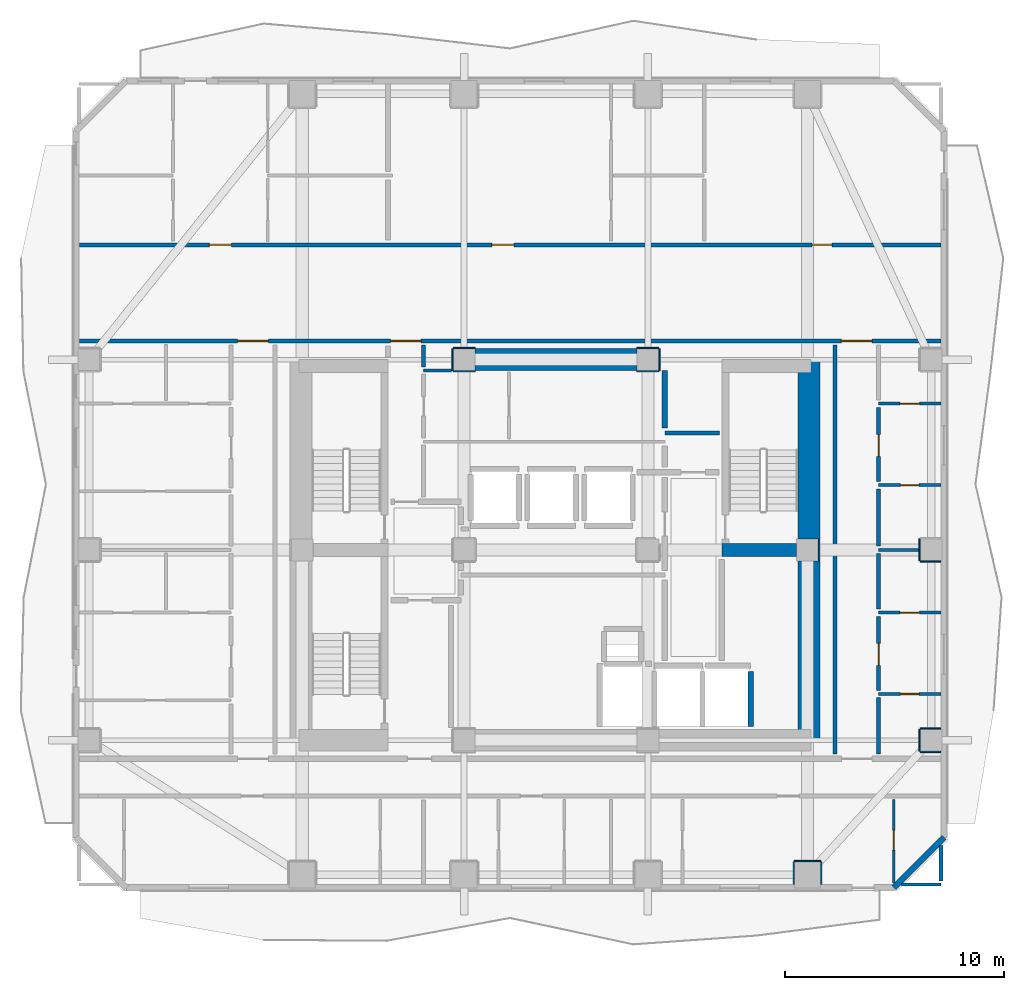
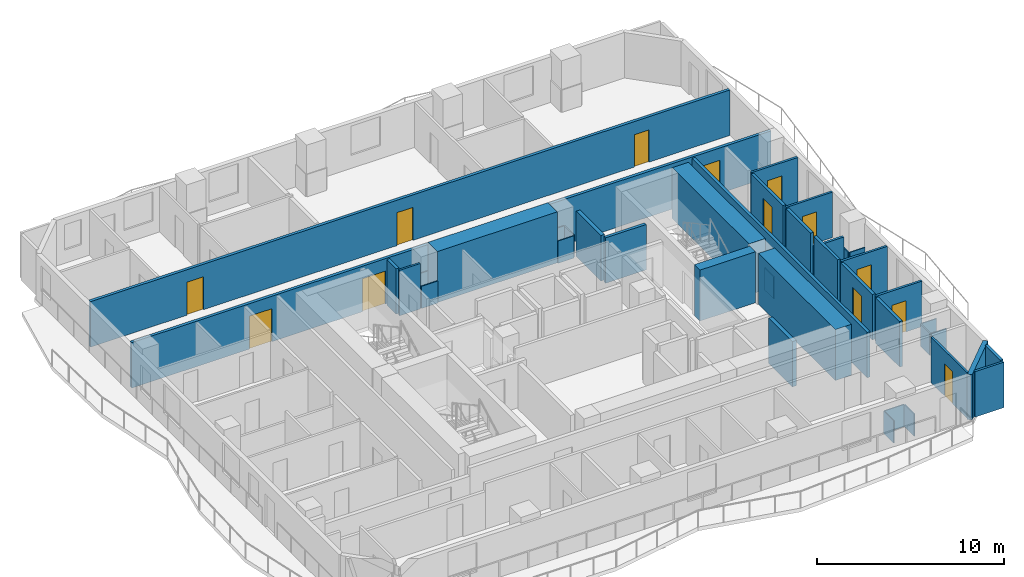
# One storey, part 5 of 11: 41 walls, 13 doors, 13 openings.
"""IFC4 building model written with IfcOpenShell, lengths in metres."""

from ifc_helpers import new_model, si_unit, direction, frame, frame_2d, origin, place, context, subcontext, project, spatial, rectangle, extrude, material, layer, layer_set, type_object, element, fill, save


model = new_model("IFC4")

# Units and contexts
model_context = context("Model", 3, precision=1e-05, world=origin(), true_north=direction((0.0, 1.0)))
body_context = subcontext(model_context, "Body", "Model", "MODEL_VIEW")
ifc_project = project(units=[si_unit("LENGTHUNIT", "METRE"), si_unit("AREAUNIT", "SQUARE_METRE"), si_unit("VOLUMEUNIT", "CUBIC_METRE"), si_unit("PLANEANGLEUNIT", "RADIAN"), si_unit("MASSUNIT", "GRAM", prefix="KILO")], contexts=[model_context])

# Site, building, storey
site_placement = place(None, origin())
site = spatial("IfcSite", under=ifc_project, at=site_placement, CompositionType="ELEMENT")
building_placement = place(site_placement, origin())
building = spatial("IfcBuilding", under=site, at=building_placement, Name="Solanera Arch Residences", CompositionType="ELEMENT")
storey_placement = place(building_placement, frame((0.0, 0.0, 169.159912109375)))
storey = spatial("IfcBuildingStorey", under=building, at=storey_placement, Name="L49", CompositionType="ELEMENT", Elevation=169.159912109375)

# Walls
ifc_material_1 = material(Name="Fire-Rated Gypsum Stud Partition", Category="gypsum")
ifc_layer_1 = layer(ifc_material_1, 0.06005859375)
ifc_layer_set_1 = layer_set([ifc_layer_1], Name="Fire-Rated Gypsum Stud Partition")
wall_type_1 = type_object("IfcWallType", Name="Column Acoustic Furring Wall 60", PredefinedType="PARTITIONING", material=ifc_layer_set_1)
for number, where, z_axis, x_axis, name in (
    (1, (20.300048828125, 38.867919921875, 0.0), (0.0, 0.0, 1.0), (1.0, 0.0, 0.0), "L49 Column Furring 3S"),
    (2, (20.300048828125, 39.931884765625, 0.0), (0.0, 0.0, 1.0), (1.0, 0.0, 0.0), "L49 Column Furring 3N"),
    (3, (20.26806640625, 38.89990234375, 0.0), (0.0, 0.0, 1.0), (0.0, 1.0, 0.0), "L49 Column Furring 3W"),
    (4, (28.699951171875, 38.867919921875, 0.0), (0.0, 0.0, 1.0), (1.0, 0.0, 0.0), "L49 Column Furring 4S"),
    (5, (28.699951171875, 39.931884765625, 0.0), (0.0, 0.0, 1.0), (1.0, 0.0, 0.0), "L49 Column Furring 4N"),
    (6, (29.73193359375, 38.89990234375, 0.0), (0.0, 0.0, 1.0), (0.0, 1.0, 0.0), "L49 Column Furring 4E"),
):
    element("IfcWall", number, at=place(storey_placement, frame(where, z_axis=z_axis, x_axis=x_axis)), inside=storey, type_object=wall_type_1, Name=name, PredefinedType="PARTITIONING", context=body_context, shape_type="SweptSolid", body=[
        extrude(rectangle(XDim=1.0, YDim=0.06005859375, at=frame_2d((0.5, 0.0))), origin(), (0.0, 0.0, 1.0), 1.4501953125),
    ])
wall_1_placement = place(storey_placement, frame((37.031982421875, 30.2099609375, 0.0), z_axis=(0.0, 0.0, 1.0), x_axis=(0.0, 1.0, 0.0)))
element("IfcWall", 7, at=wall_1_placement, inside=storey, type_object=wall_type_1, Name="L49 Column Furring 6E", PredefinedType="PARTITIONING", context=body_context, shape_type="SweptSolid", body=[
    extrude(rectangle(XDim=0.97998046875, YDim=0.06005859375, at=frame_2d((0.489990234375, 0.0))), origin(), (0.0, 0.0, 1.0), 1.4501953125),
])
wall_2_placement = place(storey_placement, frame((35.89990234375, 16.48193359375, 0.0), z_axis=(0.0, 0.0, 1.0), x_axis=(1.0, 0.0, 0.0)))
element("IfcWall", 8, at=wall_2_placement, inside=storey, type_object=wall_type_1, Name="L49 Column Furring 15N", PredefinedType="PARTITIONING", context=body_context, shape_type="SweptSolid", body=[
    extrude(rectangle(XDim=1.2001953125, YDim=0.06005859375, at=frame_2d((0.60009765625, 0.0))), origin(), (0.0, 0.0, 1.0), 1.4501953125),
])
for number, where, z_axis, x_axis, name in (
    (9, (35.867919921875, 15.409912109375, 0.0), (0.0, 0.0, 1.0), (0.0, 1.0, 0.0), "L49 Column Furring 15W"),
    (10, (37.132080078125, 15.409912109375, 0.0), (0.0, 0.0, 1.0), (0.0, 1.0, 0.0), "L49 Column Furring 15E"),
):
    element("IfcWall", number, at=place(storey_placement, frame(where, z_axis=z_axis, x_axis=x_axis)), inside=storey, type_object=wall_type_1, Name=name, PredefinedType="PARTITIONING", context=body_context, shape_type="SweptSolid", body=[
        extrude(rectangle(XDim=1.0400390625, YDim=0.06005859375, at=frame_2d((0.52001953125, 0.0))), origin(), (0.0, 0.0, 1.0), 1.4501953125),
    ])
for number, where, z_axis, x_axis, name in (
    (11, (41.64990234375, 21.468017578125, 0.0), (0.0, 0.0, 1.0), (1.0, 0.0, 0.0), "L49 Column Furring 18S"),
    (12, (41.64990234375, 22.531982421875, 0.0), (0.0, 0.0, 1.0), (1.0, 0.0, 0.0), "L49 Column Furring 18N"),
):
    element("IfcWall", number, at=place(storey_placement, frame(where, z_axis=z_axis, x_axis=x_axis)), inside=storey, type_object=wall_type_1, Name=name, PredefinedType="PARTITIONING", context=body_context, shape_type="SweptSolid", body=[
        extrude(rectangle(XDim=0.940185546875, YDim=0.06005859375, at=frame_2d((0.47021484375, 0.0))), origin(), (0.0, 0.0, 1.0), 1.4501953125),
    ])
wall_3_placement = place(storey_placement, frame((41.617919921875, 21.5, 0.0), z_axis=(0.0, 0.0, 1.0), x_axis=(0.0, 1.0, 0.0)))
element("IfcWall", 13, at=wall_3_placement, inside=storey, type_object=wall_type_1, Name="L49 Column Furring 18W", PredefinedType="PARTITIONING", context=body_context, shape_type="SweptSolid", body=[
    extrude(rectangle(XDim=1.0, YDim=0.06005859375, at=frame_2d((0.5, 0.0))), origin(), (0.0, 0.0, 1.0), 1.4501953125),
])
wall_4_placement = place(storey_placement, frame((41.64990234375, 30.16796875, 0.0), z_axis=(0.0, 0.0, 1.0), x_axis=(1.0, 0.0, 0.0)))
element("IfcWall", 14, at=wall_4_placement, inside=storey, type_object=wall_type_1, Name="L49 Column Furring 20S", PredefinedType="PARTITIONING", context=body_context, shape_type="SweptSolid", body=[
    extrude(rectangle(XDim=0.940185546875, YDim=0.06005859375, at=frame_2d((0.47021484375, 0.0))), origin(), (0.0, 0.0, 1.0), 1.4501953125),
])
wall_5_placement = place(storey_placement, frame((41.617919921875, 30.199951171875, 0.0), z_axis=(0.0, 0.0, 1.0), x_axis=(0.0, 1.0, 0.0)))
element("IfcWall", 15, at=wall_5_placement, inside=storey, type_object=wall_type_1, Name="L49 Column Furring 20W", PredefinedType="PARTITIONING", context=body_context, shape_type="SweptSolid", body=[
    extrude(rectangle(XDim=1.0, YDim=0.06005859375, at=frame_2d((0.5, 0.0))), origin(), (0.0, 0.0, 1.0), 1.4501953125),
])
ifc_material_2 = material(Name="Concrete C55/67 (f'c = 60 MPa)", Category="concrete")
ifc_layer_2 = layer(ifc_material_2, 1.0)
ifc_layer_set_2 = layer_set([ifc_layer_2], Name="Concrete C55/67 (f'c = 60 MPa)")
wall_type_2 = type_object("IfcWallType", Name="Core Shear Wall CW-1000", PredefinedType="SHEAR", material=ifc_layer_set_2)
wall_6_placement = place(storey_placement, frame((36.56005859375, 22.0, 0.0), z_axis=(0.0, 0.0, 1.0), x_axis=(0.0, 1.0, 0.0)))
element("IfcWall", 16, at=wall_6_placement, inside=storey, type_object=wall_type_2, Name="L49 East Core South Shear Wall", PredefinedType="SHEAR", context=body_context, shape_type="SweptSolid", body=[
    extrude(rectangle(XDim=8.195068359375, YDim=1.0, at=frame_2d((4.09765625, 0.0))), origin(), (0.0, 0.0, 1.0), 3.320068359375),
])
wall_7_placement = place(storey_placement, frame((36.56005859375, 31.205078125, 0.0), z_axis=(0.0, 0.0, 1.0), x_axis=(0.0, 1.0, 0.0)))
element("IfcWall", 17, at=wall_7_placement, inside=storey, type_object=wall_type_2, Name="L49 East Core North Shear Wall", PredefinedType="SHEAR", context=body_context, shape_type="SweptSolid", body=[
    extrude(rectangle(XDim=8.19482421875, YDim=1.0, at=frame_2d((4.097412109375, 0.0))), origin(), (0.0, 0.0, 1.0), 3.320068359375),
])
wall_8_placement = place(storey_placement, frame((21.304931640625, 39.39990234375, 0.0), z_axis=(0.0, 0.0, 1.0), x_axis=(1.0, 0.0, 0.0)))
element("IfcWall", 18, at=wall_8_placement, inside=storey, type_object=wall_type_2, Name="L49 Central North Core Shear Wall", PredefinedType="SHEAR", context=body_context, shape_type="SweptSolid", body=[
    extrude(rectangle(XDim=7.39013671875, YDim=1.0, at=frame_2d((3.695068359375, 0.0))), origin(), (0.0, 0.0, 1.0), 3.320068359375),
])
ifc_material_3 = material(Name="Concrete C40/50 (f'c = 45 MPa)", Category="concrete")
ifc_layer_3 = layer(ifc_material_3, 0.60009765625)
ifc_layer_set_3 = layer_set([ifc_layer_3], Name="Concrete C40/50 (f'c = 45 MPa)")
wall_type_3 = type_object("IfcWallType", Name="Core Shear Wall CW-600", PredefinedType="SHEAR", material=ifc_layer_set_3)
wall_9_placement = place(storey_placement, frame((32.580078125, 30.699951171875, 0.0), z_axis=(0.0, 0.0, 1.0), x_axis=(1.0, 0.0, 0.0)))
element("IfcWall", 19, at=wall_9_placement, inside=storey, type_object=wall_type_3, Name="L49 East Stair Far-Landing Shear Wall", PredefinedType="SHEAR", context=body_context, shape_type="SweptSolid", body=[
    extrude(rectangle(XDim=3.4150390625, YDim=0.60009765625, at=frame_2d((1.70751953125, 0.0))), origin(), (0.0, 0.0, 1.0), 3.320068359375),
])
ifc_material_4 = material(Name="Autoclaved Aerated Concrete Blockwork", Category="masonry")
ifc_layer_4 = layer(ifc_material_4, 0.179931640625)
ifc_layer_set_4 = layer_set([ifc_layer_4], Name="Autoclaved Aerated Concrete Blockwork")
wall_type_4 = type_object("IfcWallType", Name="Corridor Fire Partition 180", PredefinedType="PARTITIONING", material=ifc_layer_set_4)
wall_10_placement = place(storey_placement, frame((29.97509765625, 36.050048828125, 0.0), z_axis=(0.0, 0.0, 1.0), x_axis=(1.0, 0.0, 0.0)))
element("IfcWall", 20, at=wall_10_placement, inside=storey, type_object=wall_type_4, Name="L49 Interior Partition H9", PredefinedType="PARTITIONING", context=body_context, shape_type="SweptSolid", body=[
    extrude(rectangle(XDim=2.5048828125, YDim=0.179931640625, at=frame_2d((1.25244140625, 0.0))), origin(), (0.0, 0.0, 1.0), 2.960205078125),
])

# Wall, openings, doors
wall_11_placement = place(storey_placement, frame((3.20703125, 40.25, 0.0), z_axis=(0.0, 0.0, 1.0), x_axis=(1.0, 0.0, 0.0)))
wall_11 = element("IfcWall", 21, at=wall_11_placement, inside=storey, type_object=wall_type_4, Name="L49 Interior Partition H10", PredefinedType="PARTITIONING", context=body_context, shape_type="SweptSolid", body=[
    extrude(rectangle(XDim=39.385986328125, YDim=0.179931640625, at=frame_2d((19.69287109375, 0.0))), origin(), (0.0, 0.0, 1.0), 2.960205078125),
])
opening_1_placement = place(wall_11_placement, frame((14.22802734375, 0.0, 0.0)))
opening_1 = element("IfcOpeningElement", 22, at=opening_1_placement, cuts=wall_11, Name="Opening DF-03", PredefinedType="OPENING", context=body_context, shape_type="SweptSolid", body=[
    extrude(rectangle(XDim=1.39990234375, YDim=2.14990234375, at=frame_2d((0.699951171875, 1.074951171875))), frame((0.0, 0.10009765625, 0.0), z_axis=(0.0, -1.0, 0.0), x_axis=(1.0, 0.0, 0.0)), (0.0, 0.0, 1.0), 0.1999),
])
opening_2_placement = place(wall_11_placement, frame((7.242919921875, 0.0, 0.0)))
opening_2 = element("IfcOpeningElement", 23, at=opening_2_placement, cuts=wall_11, Name="Opening DF-03", PredefinedType="OPENING", context=body_context, shape_type="SweptSolid", body=[
    extrude(rectangle(XDim=1.39990234375, YDim=2.14990234375, at=frame_2d((0.699951171875, 1.074951171875))), frame((0.0, 0.10009765625, 0.0), z_axis=(0.0, -1.0, 0.0), x_axis=(1.0, 0.0, 0.0)), (0.0, 0.0, 1.0), 0.1999),
])
opening_3_placement = place(wall_11_placement, frame((34.843017578125, 0.0, 0.0)))
opening_3 = element("IfcOpeningElement", 24, at=opening_3_placement, cuts=wall_11, Name="Opening DF-03", PredefinedType="OPENING", context=body_context, shape_type="SweptSolid", body=[
    extrude(rectangle(XDim=1.39990234375, YDim=2.14990234375, at=frame_2d((0.699951171875, 1.074951171875))), frame((0.0, 0.10009765625, 0.0), z_axis=(0.0, -1.0, 0.0), x_axis=(1.0, 0.0, 0.0)), (0.0, 0.0, 1.0), 0.1999),
])
ifc_material_5 = material(Name="Fire-Rated Architectural Hardwood", Category="wood")
door_type_1 = type_object("IfcDoorType", Name="Corridor Smoke Door DF-03", OperationType="NOTDEFINED", PredefinedType="DOOR", material=ifc_material_5)
door_1_placement = place(opening_1_placement, origin())
door_1 = element("IfcDoor", 25, at=door_1_placement, inside=storey, type_object=door_type_1, Name="DR-L49-IN-009", OperationType="SINGLE_SWING_LEFT", OverallHeight=2.14990234375, OverallWidth=1.39990234375, PredefinedType="DOOR", context=body_context, shape_type="SweptSolid", body=[
    extrude(rectangle(XDim=1.39990234375, YDim=2.14990234375, at=frame_2d((0.699951171875, 1.074951171875))), frame((0.0, 0.02490234375, 0.0), z_axis=(0.0, -1.0, 0.0), x_axis=(1.0, 0.0, 0.0)), (0.0, 0.0, 1.0), 0.050048828125),
])
fill(opening_1, door_1)
door_2_placement = place(opening_2_placement, origin())
door_2 = element("IfcDoor", 26, at=door_2_placement, inside=storey, type_object=door_type_1, Name="DR-L49-IN-012", OperationType="SINGLE_SWING_RIGHT", OverallHeight=2.14990234375, OverallWidth=1.39990234375, PredefinedType="DOOR", context=body_context, shape_type="SweptSolid", body=[
    extrude(rectangle(XDim=1.39990234375, YDim=2.14990234375, at=frame_2d((0.699951171875, 1.074951171875))), frame((0.0, 0.02490234375, 0.0), z_axis=(0.0, -1.0, 0.0), x_axis=(1.0, 0.0, 0.0)), (0.0, 0.0, 1.0), 0.050048828125),
])
fill(opening_2, door_2)
door_3_placement = place(opening_3_placement, origin())
door_3 = element("IfcDoor", 27, at=door_3_placement, inside=storey, type_object=door_type_1, Name="DR-L49-IN-013", OperationType="SINGLE_SWING_LEFT", OverallHeight=2.14990234375, OverallWidth=1.39990234375, PredefinedType="DOOR", context=body_context, shape_type="SweptSolid", body=[
    extrude(rectangle(XDim=1.39990234375, YDim=2.14990234375, at=frame_2d((0.699951171875, 1.074951171875))), frame((0.0, 0.02490234375, 0.0), z_axis=(0.0, -1.0, 0.0), x_axis=(1.0, 0.0, 0.0)), (0.0, 0.0, 1.0), 0.050048828125),
])
fill(opening_3, door_3)

wall_12_placement = place(storey_placement, frame((3.20703125, 44.64990234375, 0.0), z_axis=(0.0, 0.0, 1.0), x_axis=(1.0, 0.0, 0.0)))
wall_12 = element("IfcWall", 28, at=wall_12_placement, inside=storey, type_object=wall_type_4, Name="L49 Interior Partition H11", PredefinedType="PARTITIONING", context=body_context, shape_type="SweptSolid", body=[
    extrude(rectangle(XDim=39.385986328125, YDim=0.179931640625, at=frame_2d((19.69287109375, 0.0))), origin(), (0.0, 0.0, 1.0), 2.960205078125),
])
opening_4_placement = place(wall_12_placement, frame((5.951904296875, 0.0, 0.0)))
opening_4 = element("IfcOpeningElement", 29, at=opening_4_placement, cuts=wall_12, Name="Opening DI-01", PredefinedType="OPENING", context=body_context, shape_type="SweptSolid", body=[
    extrude(rectangle(XDim=1.0, YDim=2.14990234375, at=frame_2d((0.5, 1.074951171875))), frame((0.0, 0.10009765625, 0.0), z_axis=(0.0, -1.0, 0.0), x_axis=(1.0, 0.0, 0.0)), (0.0, 0.0, 1.0), 0.1999),
])
opening_5_placement = place(wall_12_placement, frame((18.865966796875, 0.0, 0.0)))
opening_5 = element("IfcOpeningElement", 30, at=opening_5_placement, cuts=wall_12, Name="Opening DI-01", PredefinedType="OPENING", context=body_context, shape_type="SweptSolid", body=[
    extrude(rectangle(XDim=1.0, YDim=2.14990234375, at=frame_2d((0.5, 1.074951171875))), frame((0.0, 0.10009765625, 0.0), z_axis=(0.0, -1.0, 0.0), x_axis=(1.0, 0.0, 0.0)), (0.0, 0.0, 1.0), 0.1999),
])
opening_6_placement = place(wall_12_placement, frame((33.508056640625, 0.0, 0.0)))
opening_6 = element("IfcOpeningElement", 31, at=opening_6_placement, cuts=wall_12, Name="Opening DI-02", PredefinedType="OPENING", context=body_context, shape_type="SweptSolid", body=[
    extrude(rectangle(XDim=0.89990234375, YDim=2.10009765625, at=frame_2d((0.449951171875, 1.050048828125))), frame((0.0, 0.10009765625, 0.0), z_axis=(0.0, -1.0, 0.0), x_axis=(1.0, 0.0, 0.0)), (0.0, 0.0, 1.0), 0.1999),
])
ifc_material_6 = material(Name="Fire-Rated Architectural Hardwood", Category="wood")
door_type_2 = type_object("IfcDoorType", Name="Suite Room Swing Door DI-02", OperationType="NOTDEFINED", PredefinedType="DOOR", material=ifc_material_6)
door_4_placement = place(opening_6_placement, origin())
door_4 = element("IfcDoor", 32, at=door_4_placement, inside=storey, type_object=door_type_2, Name="DR-L49-IN-033", OperationType="SINGLE_SWING_LEFT", OverallHeight=2.10009765625, OverallWidth=0.89990234375, PredefinedType="DOOR", context=body_context, shape_type="SweptSolid", body=[
    extrude(rectangle(XDim=0.89990234375, YDim=2.10009765625, at=frame_2d((0.449951171875, 1.050048828125))), frame((0.0, 0.02490234375, 0.0), z_axis=(0.0, -1.0, 0.0), x_axis=(1.0, 0.0, 0.0)), (0.0, 0.0, 1.0), 0.050048828125),
])
fill(opening_6, door_4)
ifc_material_7 = material(Name="Fire-Rated Architectural Hardwood", Category="wood")
door_type_3 = type_object("IfcDoorType", Name="Unit Entrance Fire Door DI-01", OperationType="NOTDEFINED", PredefinedType="DOOR", material=ifc_material_7)
door_5_placement = place(opening_4_placement, origin())
door_5 = element("IfcDoor", 33, at=door_5_placement, inside=storey, type_object=door_type_3, Name="DR-L49-IN-025", OperationType="SINGLE_SWING_LEFT", OverallHeight=2.14990234375, OverallWidth=1.0, PredefinedType="DOOR", context=body_context, shape_type="SweptSolid", body=[
    extrude(rectangle(XDim=1.0, YDim=2.14990234375, at=frame_2d((0.5, 1.074951171875))), frame((0.0, 0.02490234375, 0.0), z_axis=(0.0, -1.0, 0.0), x_axis=(1.0, 0.0, 0.0)), (0.0, 0.0, 1.0), 0.050048828125),
])
fill(opening_4, door_5)
door_6_placement = place(opening_5_placement, origin())
door_6 = element("IfcDoor", 34, at=door_6_placement, inside=storey, type_object=door_type_3, Name="DR-L49-IN-030", OperationType="SINGLE_SWING_RIGHT", OverallHeight=2.14990234375, OverallWidth=1.0, PredefinedType="DOOR", context=body_context, shape_type="SweptSolid", body=[
    extrude(rectangle(XDim=1.0, YDim=2.14990234375, at=frame_2d((0.5, 1.074951171875))), frame((0.0, 0.02490234375, 0.0), z_axis=(0.0, -1.0, 0.0), x_axis=(1.0, 0.0, 0.0)), (0.0, 0.0, 1.0), 0.050048828125),
])
fill(opening_5, door_6)

# Walls
wall_13_placement = place(storey_placement, frame((18.949951171875, 39.05810546875, 0.0), z_axis=(0.0, 0.0, 1.0), x_axis=(0.0, 1.0, 0.0)))
element("IfcWall", 35, at=wall_13_placement, inside=storey, type_object=wall_type_4, Name="L49 Interior Partition V11 3", PredefinedType="PARTITIONING", context=body_context, shape_type="SweptSolid", body=[
    extrude(rectangle(XDim=1.00390625, YDim=0.179931640625, at=frame_2d((0.501953125, 0.0))), origin(), (0.0, 0.0, 1.0), 2.960205078125),
])
wall_14_placement = place(storey_placement, frame((37.75, 21.367919921875, 0.0), z_axis=(0.0, 0.0, 1.0), x_axis=(0.0, 1.0, 0.0)))
element("IfcWall", 36, at=wall_14_placement, inside=storey, type_object=wall_type_4, Name="L49 Interior Partition V13", PredefinedType="PARTITIONING", context=body_context, shape_type="SweptSolid", body=[
    extrude(rectangle(XDim=18.694091796875, YDim=0.179931640625, at=frame_2d((9.34716796875, 0.0))), origin(), (0.0, 0.0, 1.0), 2.960205078125),
])
wall_15_placement = place(storey_placement, frame((39.75, 21.367919921875, 0.0), z_axis=(0.0, 0.0, 1.0), x_axis=(0.0, 1.0, 0.0)))
element("IfcWall", 37, at=wall_15_placement, inside=storey, type_object=wall_type_4, Name="L49 Interior Partition V14 1", PredefinedType="PARTITIONING", context=body_context, shape_type="SweptSolid", body=[
    extrude(rectangle(XDim=2.576171875, YDim=0.179931640625, at=frame_2d((1.2880859375, 0.0))), origin(), (0.0, 0.0, 1.0), 2.960205078125),
])

# Wall, opening, door
wall_16_placement = place(storey_placement, frame((39.75, 24.280029296875, 0.0), z_axis=(0.0, 0.0, 1.0), x_axis=(0.0, 1.0, 0.0)))
wall_16 = element("IfcWall", 38, at=wall_16_placement, inside=storey, type_object=wall_type_4, Name="L49 Interior Partition V14 2", PredefinedType="PARTITIONING", context=body_context, shape_type="SweptSolid", body=[
    extrude(rectangle(XDim=3.386962890625, YDim=0.179931640625, at=frame_2d((1.693359375, 0.0))), origin(), (0.0, 0.0, 1.0), 2.960205078125),
])
opening_7_placement = place(wall_16_placement, frame((1.14501953125, 0.0, 0.0)))
opening_7 = element("IfcOpeningElement", 39, at=opening_7_placement, cuts=wall_16, Name="Opening DI-01", PredefinedType="OPENING", context=body_context, shape_type="SweptSolid", body=[
    extrude(rectangle(XDim=1.0, YDim=2.14990234375, at=frame_2d((0.5, 1.074951171875))), frame((0.0, 0.10009765625, 0.0), z_axis=(0.0, -1.0, 0.0), x_axis=(1.0, 0.0, 0.0)), (0.0, 0.0, 1.0), 0.1999),
])
door_7_placement = place(opening_7_placement, origin())
door_7 = element("IfcDoor", 40, at=door_7_placement, inside=storey, type_object=door_type_3, Name="DR-L49-IN-042", OperationType="SINGLE_SWING_RIGHT", OverallHeight=2.14990234375, OverallWidth=1.0, PredefinedType="DOOR", context=body_context, shape_type="SweptSolid", body=[
    extrude(rectangle(XDim=1.0, YDim=2.14990234375, at=frame_2d((0.5, 1.074951171875))), frame((0.0, 0.02490234375, 0.0), z_axis=(0.0, -1.0, 0.0), x_axis=(1.0, 0.0, 0.0)), (0.0, 0.0, 1.0), 0.050048828125),
])
fill(opening_7, door_7)

# Walls
wall_17_placement = place(storey_placement, frame((39.75, 28.0029296875, 0.0), z_axis=(0.0, 0.0, 1.0), x_axis=(0.0, 1.0, 0.0)))
element("IfcWall", 41, at=wall_17_placement, inside=storey, type_object=wall_type_4, Name="L49 Interior Partition V14 3", PredefinedType="PARTITIONING", context=body_context, shape_type="SweptSolid", body=[
    extrude(rectangle(XDim=2.529052734375, YDim=0.179931640625, at=frame_2d((1.2646484375, 0.0))), origin(), (0.0, 0.0, 1.0), 2.960205078125),
])
wall_18_placement = place(storey_placement, frame((39.75, 30.867919921875, 0.0), z_axis=(0.0, 0.0, 1.0), x_axis=(0.0, 1.0, 0.0)))
element("IfcWall", 42, at=wall_18_placement, inside=storey, type_object=wall_type_4, Name="L49 Interior Partition V14 4", PredefinedType="PARTITIONING", context=body_context, shape_type="SweptSolid", body=[
    extrude(rectangle(XDim=2.6259765625, YDim=0.179931640625, at=frame_2d((1.31298828125, 0.0))), origin(), (0.0, 0.0, 1.0), 2.960205078125),
])

# Wall, opening, door
wall_19_placement = place(storey_placement, frame((39.75, 33.830078125, 0.0), z_axis=(0.0, 0.0, 1.0), x_axis=(0.0, 1.0, 0.0)))
wall_19 = element("IfcWall", 43, at=wall_19_placement, inside=storey, type_object=wall_type_4, Name="L49 Interior Partition V14 5", PredefinedType="PARTITIONING", context=body_context, shape_type="SweptSolid", body=[
    extrude(rectangle(XDim=3.386962890625, YDim=0.179931640625, at=frame_2d((1.693359375, 0.0))), origin(), (0.0, 0.0, 1.0), 2.960205078125),
])
opening_8_placement = place(wall_19_placement, frame((1.14501953125, 0.0, 0.0)))
opening_8 = element("IfcOpeningElement", 44, at=opening_8_placement, cuts=wall_19, Name="Opening DI-01", PredefinedType="OPENING", context=body_context, shape_type="SweptSolid", body=[
    extrude(rectangle(XDim=1.0, YDim=2.14990234375, at=frame_2d((0.5, 1.074951171875))), frame((0.0, 0.10009765625, 0.0), z_axis=(0.0, -1.0, 0.0), x_axis=(1.0, 0.0, 0.0)), (0.0, 0.0, 1.0), 0.1999),
])
door_8_placement = place(opening_8_placement, origin())
door_8 = element("IfcDoor", 45, at=door_8_placement, inside=storey, type_object=door_type_3, Name="DR-L49-IN-045", OperationType="SINGLE_SWING_LEFT", OverallHeight=2.14990234375, OverallWidth=1.0, PredefinedType="DOOR", context=body_context, shape_type="SweptSolid", body=[
    extrude(rectangle(XDim=1.0, YDim=2.14990234375, at=frame_2d((0.5, 1.074951171875))), frame((0.0, 0.02490234375, 0.0), z_axis=(0.0, -1.0, 0.0), x_axis=(1.0, 0.0, 0.0)), (0.0, 0.0, 1.0), 0.050048828125),
])
fill(opening_8, door_8)

# Walls
wall_20_placement = place(storey_placement, frame((42.60009765625, 15.568115234375, 0.0), z_axis=(0.0, 0.0, 1.0), x_axis=(0.0, 1.0, 0.0)))
element("IfcWall", 46, at=wall_20_placement, inside=storey, type_object=wall_type_4, Name="L49 Interior Partition V15 1", PredefinedType="PARTITIONING", context=body_context, shape_type="SweptSolid", body=[
    extrude(rectangle(XDim=1.626953125, YDim=0.179931640625, at=frame_2d((0.8134765625, 0.0))), origin(), (0.0, 0.0, 1.0), 2.960205078125),
])
ifc_material_8 = material(Name="Precast Concrete C35/45", Category="concrete")
ifc_layer_5 = layer(ifc_material_8, 0.280029296875)
ifc_layer_set_5 = layer_set([ifc_layer_5], Name="Precast Concrete C35/45")
wall_type_5 = type_object("IfcWallType", Name="Exterior Wall Precast Masonry-Frame 280", PredefinedType="STANDARD", material=ifc_layer_set_5)
wall_21_placement = place(storey_placement, frame((42.7451171875, 17.554931640625, 0.0), z_axis=(0.0, 0.0, 1.0), x_axis=(-0.707106781187, -0.707106781187, 0.0)))
element("IfcWall", 47, at=wall_21_placement, inside=storey, type_object=wall_type_5, Name="L49 Tower Exterior Precast Masonry-Frame Wall CH5", PredefinedType="STANDARD", context=body_context, shape_type="SweptSolid", body=[
    extrude(rectangle(XDim=3.252685546875, YDim=0.280029296875, at=frame_2d((1.62646484375, 0.0))), origin(), (0.0, 0.0, 1.0), 2.960205078125),
])
ifc_material_9 = material(Name="Autoclaved Aerated Concrete Blockwork", Category="masonry")
ifc_layer_6 = layer(ifc_material_9, 0.239990234375)
ifc_layer_set_6 = layer_set([ifc_layer_6], Name="Autoclaved Aerated Concrete Blockwork")
wall_type_6 = type_object("IfcWallType", Name="Shaft Wall Fire-Rated 240", PredefinedType="PARTITIONING", material=ifc_layer_set_6)
wall_22_placement = place(storey_placement, frame((33.89990234375, 22.6298828125, 0.0), z_axis=(0.0, 0.0, 1.0), x_axis=(0.0, 1.0, 0.0)))
element("IfcWall", 48, at=wall_22_placement, inside=storey, type_object=wall_type_6, Name="L49 Lift FFL-2 Hoistway Wall E", PredefinedType="PARTITIONING", context=body_context, shape_type="SweptSolid", body=[
    extrude(rectangle(XDim=2.522216796875, YDim=0.239990234375, at=frame_2d((1.26123046875, 0.0))), origin(), (0.0, 0.0, 1.0), 2.960205078125),
])
wall_23_placement = place(storey_placement, frame((29.97509765625, 36.26806640625, 0.0), z_axis=(0.0, 0.0, 1.0), x_axis=(0.0, 1.0, 0.0)))
element("IfcWall", 49, at=wall_23_placement, inside=storey, type_object=wall_type_6, Name="L49 Interior Partition V5 4", PredefinedType="PARTITIONING", context=body_context, shape_type="SweptSolid", body=[
    extrude(rectangle(XDim=2.6318359375, YDim=0.239990234375, at=frame_2d((1.31591796875, 0.0))), origin(), (0.0, 0.0, 1.0), 2.960205078125),
])
ifc_material_10 = material(Name="Fire-Rated Gypsum Stud Partition", Category="gypsum")
ifc_layer_7 = layer(ifc_material_10, 0.1201171875)
ifc_layer_set_7 = layer_set([ifc_layer_7], Name="Fire-Rated Gypsum Stud Partition")
wall_type_7 = type_object("IfcWallType", Name="Unit Drywall Partition 120", PredefinedType="PARTITIONING", material=ifc_layer_set_7)
wall_24_placement = place(storey_placement, frame((18.949951171875, 38.89990234375, 0.0), z_axis=(0.0, 0.0, 1.0), x_axis=(1.0, 0.0, 0.0)))
element("IfcWall", 50, at=wall_24_placement, inside=storey, type_object=wall_type_7, Name="L49 Interior Partition H28", PredefinedType="PARTITIONING", context=body_context, shape_type="SweptSolid", body=[
    extrude(rectangle(XDim=1.278076171875, YDim=0.1201171875, at=frame_2d((0.63916015625, 0.0))), origin(), (0.0, 0.0, 1.0), 2.960205078125),
])

# Wall, opening, door
wall_25_placement = place(storey_placement, frame((40.449951171875, 15.47509765625, 0.0), z_axis=(0.0, 0.0, 1.0), x_axis=(0.0, 1.0, 0.0)))
wall_25 = element("IfcWall", 51, at=wall_25_placement, inside=storey, type_object=wall_type_7, Name="L49 Interior Partition V29", PredefinedType="PARTITIONING", context=body_context, shape_type="SweptSolid", body=[
    extrude(rectangle(XDim=3.81689453125, YDim=0.1201171875, at=frame_2d((1.908447265625, 0.0))), origin(), (0.0, 0.0, 1.0), 2.960205078125),
])
opening_9_placement = place(wall_25_placement, frame((1.5, 0.0, 0.0)))
opening_9 = element("IfcOpeningElement", 52, at=opening_9_placement, cuts=wall_25, Name="Opening DI-02", PredefinedType="OPENING", context=body_context, shape_type="SweptSolid", body=[
    extrude(rectangle(XDim=0.89990234375, YDim=2.10009765625, at=frame_2d((0.449951171875, 1.050048828125))), frame((0.0, 0.070068359375, 0.0), z_axis=(0.0, -1.0, 0.0), x_axis=(1.0, 0.0, 0.0)), (0.0, 0.0, 1.0), 0.1401),
])
door_9_placement = place(opening_9_placement, origin())
door_9 = element("IfcDoor", 53, at=door_9_placement, inside=storey, type_object=door_type_2, Name="DR-L49-IN-024", OperationType="SINGLE_SWING_RIGHT", OverallHeight=2.10009765625, OverallWidth=0.89990234375, PredefinedType="DOOR", context=body_context, shape_type="SweptSolid", body=[
    extrude(rectangle(XDim=0.89990234375, YDim=2.10009765625, at=frame_2d((0.449951171875, 1.050048828125))), frame((0.0, 0.02490234375, 0.0), z_axis=(0.0, -1.0, 0.0), x_axis=(1.0, 0.0, 0.0)), (0.0, 0.0, 1.0), 0.050048828125),
])
fill(opening_9, door_9)

# Wall
ifc_material_11 = material(Name="Autoclaved Aerated Concrete Blockwork", Category="masonry")
ifc_layer_8 = layer(ifc_material_11, 0.139892578125)
ifc_layer_set_8 = layer_set([ifc_layer_8], Name="Autoclaved Aerated Concrete Blockwork")
wall_type_8 = type_object("IfcWallType", Name="Wet-Room Partition 140", PredefinedType="PARTITIONING", material=ifc_layer_set_8)
wall_26_placement = place(storey_placement, frame((40.804931640625, 15.39990234375, 0.0), z_axis=(0.0, 0.0, 1.0), x_axis=(1.0, 0.0, 0.0)))
element("IfcWall", 54, at=wall_26_placement, inside=storey, type_object=wall_type_8, Name="L49 Interior Partition H12 2", PredefinedType="PARTITIONING", context=body_context, shape_type="SweptSolid", body=[
    extrude(rectangle(XDim=1.795166015625, YDim=0.139892578125, at=frame_2d((0.8974609375, 0.0))), origin(), (0.0, 0.0, 1.0), 2.960205078125),
])

# Wall, opening, door
wall_27_placement = place(storey_placement, frame((39.75, 24.112060546875, 0.0), z_axis=(0.0, 0.0, 1.0), x_axis=(1.0, 0.0, 0.0)))
wall_27 = element("IfcWall", 55, at=wall_27_placement, inside=storey, type_object=wall_type_8, Name="L49 Interior Partition H13", PredefinedType="PARTITIONING", context=body_context, shape_type="SweptSolid", body=[
    extrude(rectangle(XDim=2.843017578125, YDim=0.139892578125, at=frame_2d((1.42138671875, 0.0))), origin(), (0.0, 0.0, 1.0), 2.960205078125),
])
opening_10_placement = place(wall_27_placement, frame((0.9951171875, 0.0, 0.0)))
opening_10 = element("IfcOpeningElement", 56, at=opening_10_placement, cuts=wall_27, Name="Opening DI-05", PredefinedType="OPENING", context=body_context, shape_type="SweptSolid", body=[
    extrude(rectangle(XDim=0.860107421875, YDim=2.02001953125, at=frame_2d((0.43017578125, 1.010009765625))), frame((0.0, 0.079833984375, 0.0), z_axis=(0.0, -1.0, 0.0), x_axis=(1.0, 0.0, 0.0)), (0.0, 0.0, 1.0), 0.1599),
])
ifc_material_12 = material(Name="Fire-Rated Architectural Hardwood", Category="wood")
door_type_4 = type_object("IfcDoorType", Name="Bathroom Swing Door DI-05", OperationType="NOTDEFINED", PredefinedType="DOOR", material=ifc_material_12)
door_10_placement = place(opening_10_placement, origin())
door_10 = element("IfcDoor", 57, at=door_10_placement, inside=storey, type_object=door_type_4, Name="DR-L49-IN-043", OperationType="SINGLE_SWING_LEFT", OverallHeight=2.02001953125, OverallWidth=0.860107421875, PredefinedType="DOOR", context=body_context, shape_type="SweptSolid", body=[
    extrude(rectangle(XDim=0.860107421875, YDim=2.02001953125, at=frame_2d((0.43017578125, 1.010009765625))), frame((0.0, 0.02490234375, 0.0), z_axis=(0.0, -1.0, 0.0), x_axis=(1.0, 0.0, 0.0)), (0.0, 0.0, 1.0), 0.050048828125),
])
fill(opening_10, door_10)

wall_28_placement = place(storey_placement, frame((39.75, 27.8349609375, 0.0), z_axis=(0.0, 0.0, 1.0), x_axis=(1.0, 0.0, 0.0)))
wall_28 = element("IfcWall", 58, at=wall_28_placement, inside=storey, type_object=wall_type_8, Name="L49 Interior Partition H15", PredefinedType="PARTITIONING", context=body_context, shape_type="SweptSolid", body=[
    extrude(rectangle(XDim=2.843017578125, YDim=0.139892578125, at=frame_2d((1.42138671875, 0.0))), origin(), (0.0, 0.0, 1.0), 2.960205078125),
])
opening_11_placement = place(wall_28_placement, frame((0.97509765625, 0.0, 0.0)))
opening_11 = element("IfcOpeningElement", 59, at=opening_11_placement, cuts=wall_28, Name="Opening DI-02", PredefinedType="OPENING", context=body_context, shape_type="SweptSolid", body=[
    extrude(rectangle(XDim=0.89990234375, YDim=2.10009765625, at=frame_2d((0.449951171875, 1.050048828125))), frame((0.0, 0.079833984375, 0.0), z_axis=(0.0, -1.0, 0.0), x_axis=(1.0, 0.0, 0.0)), (0.0, 0.0, 1.0), 0.1599),
])
door_11_placement = place(opening_11_placement, origin())
door_11 = element("IfcDoor", 60, at=door_11_placement, inside=storey, type_object=door_type_2, Name="DR-L49-IN-044", OperationType="SINGLE_SWING_RIGHT", OverallHeight=2.10009765625, OverallWidth=0.89990234375, PredefinedType="DOOR", context=body_context, shape_type="SweptSolid", body=[
    extrude(rectangle(XDim=0.89990234375, YDim=2.10009765625, at=frame_2d((0.449951171875, 1.050048828125))), frame((0.0, 0.02490234375, 0.0), z_axis=(0.0, -1.0, 0.0), x_axis=(1.0, 0.0, 0.0)), (0.0, 0.0, 1.0), 0.050048828125),
])
fill(opening_11, door_11)

# Wall
wall_29_placement = place(storey_placement, frame((39.75, 30.699951171875, 0.0), z_axis=(0.0, 0.0, 1.0), x_axis=(1.0, 0.0, 0.0)))
element("IfcWall", 61, at=wall_29_placement, inside=storey, type_object=wall_type_8, Name="L49 Interior Partition H17", PredefinedType="PARTITIONING", context=body_context, shape_type="SweptSolid", body=[
    extrude(rectangle(XDim=1.818115234375, YDim=0.139892578125, at=frame_2d((0.9091796875, 0.0))), origin(), (0.0, 0.0, 1.0), 2.195068359375),
])

# Wall, opening, door
wall_30_placement = place(storey_placement, frame((39.75, 33.662109375, 0.0), z_axis=(0.0, 0.0, 1.0), x_axis=(1.0, 0.0, 0.0)))
wall_30 = element("IfcWall", 62, at=wall_30_placement, inside=storey, type_object=wall_type_8, Name="L49 Interior Partition H18", PredefinedType="PARTITIONING", context=body_context, shape_type="SweptSolid", body=[
    extrude(rectangle(XDim=2.843017578125, YDim=0.139892578125, at=frame_2d((1.42138671875, 0.0))), origin(), (0.0, 0.0, 1.0), 2.960205078125),
])
opening_12_placement = place(wall_30_placement, frame((0.9951171875, 0.0, 0.0)))
opening_12 = element("IfcOpeningElement", 63, at=opening_12_placement, cuts=wall_30, Name="Opening DI-05", PredefinedType="OPENING", context=body_context, shape_type="SweptSolid", body=[
    extrude(rectangle(XDim=0.860107421875, YDim=2.02001953125, at=frame_2d((0.43017578125, 1.010009765625))), frame((0.0, 0.079833984375, 0.0), z_axis=(0.0, -1.0, 0.0), x_axis=(1.0, 0.0, 0.0)), (0.0, 0.0, 1.0), 0.1599),
])
door_12_placement = place(opening_12_placement, origin())
door_12 = element("IfcDoor", 64, at=door_12_placement, inside=storey, type_object=door_type_4, Name="DR-L49-IN-046", OperationType="SINGLE_SWING_RIGHT", OverallHeight=2.02001953125, OverallWidth=0.860107421875, PredefinedType="DOOR", context=body_context, shape_type="SweptSolid", body=[
    extrude(rectangle(XDim=0.860107421875, YDim=2.02001953125, at=frame_2d((0.43017578125, 1.010009765625))), frame((0.0, 0.02490234375, 0.0), z_axis=(0.0, -1.0, 0.0), x_axis=(1.0, 0.0, 0.0)), (0.0, 0.0, 1.0), 0.050048828125),
])
fill(opening_12, door_12)

wall_31_placement = place(storey_placement, frame((39.75, 37.385009765625, 0.0), z_axis=(0.0, 0.0, 1.0), x_axis=(1.0, 0.0, 0.0)))
wall_31 = element("IfcWall", 65, at=wall_31_placement, inside=storey, type_object=wall_type_8, Name="L49 Interior Partition H20", PredefinedType="PARTITIONING", context=body_context, shape_type="SweptSolid", body=[
    extrude(rectangle(XDim=2.843017578125, YDim=0.139892578125, at=frame_2d((1.42138671875, 0.0))), origin(), (0.0, 0.0, 1.0), 2.960205078125),
])
opening_13_placement = place(wall_31_placement, frame((0.97509765625, 0.0, 0.0)))
opening_13 = element("IfcOpeningElement", 66, at=opening_13_placement, cuts=wall_31, Name="Opening DI-02", PredefinedType="OPENING", context=body_context, shape_type="SweptSolid", body=[
    extrude(rectangle(XDim=0.89990234375, YDim=2.10009765625, at=frame_2d((0.449951171875, 1.050048828125))), frame((0.0, 0.079833984375, 0.0), z_axis=(0.0, -1.0, 0.0), x_axis=(1.0, 0.0, 0.0)), (0.0, 0.0, 1.0), 0.1599),
])
door_13_placement = place(opening_13_placement, origin())
door_13 = element("IfcDoor", 67, at=door_13_placement, inside=storey, type_object=door_type_2, Name="DR-L49-IN-047", OperationType="SINGLE_SWING_LEFT", OverallHeight=2.10009765625, OverallWidth=0.89990234375, PredefinedType="DOOR", context=body_context, shape_type="SweptSolid", body=[
    extrude(rectangle(XDim=0.89990234375, YDim=2.10009765625, at=frame_2d((0.449951171875, 1.050048828125))), frame((0.0, 0.02490234375, 0.0), z_axis=(0.0, -1.0, 0.0), x_axis=(1.0, 0.0, 0.0)), (0.0, 0.0, 1.0), 0.050048828125),
])
fill(opening_13, door_13)

save(model, "model.ifc")
